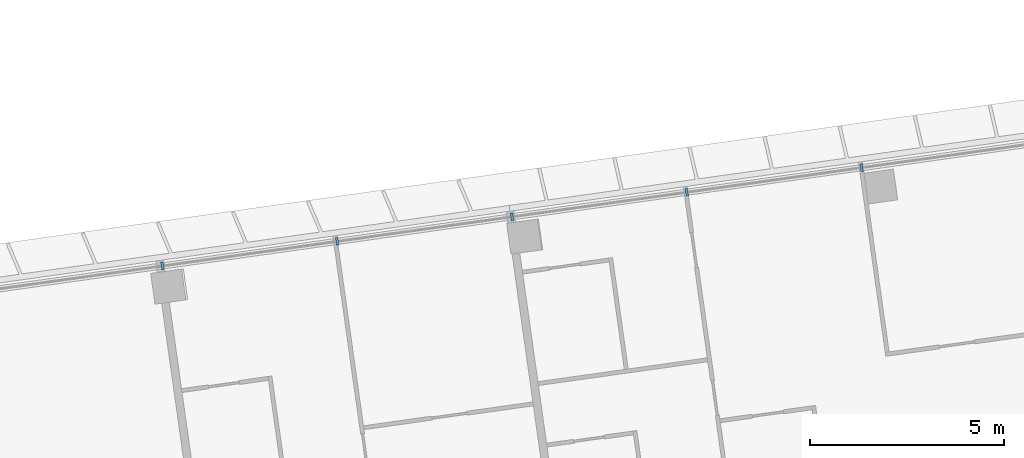
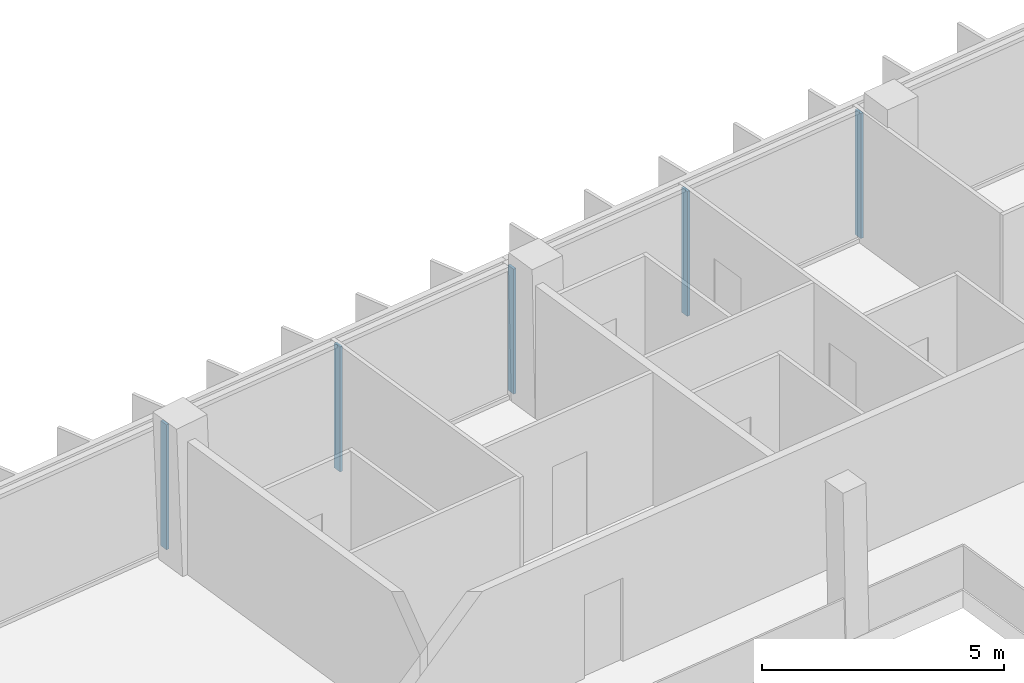
# One storey, part 13 of 32: 5 members, 1 element without a shape of its own.
"""IFC4 building model written with IfcOpenShell, lengths in metres."""

from ifc_helpers import new_model, si_unit, direction, frame, origin, origin_2d, place, context, subcontext, project, spatial, rectangle, extrude, material, material_profile, profile_set, type_object, element, aggregate, save


model = new_model("IFC4")

# Units and contexts
model_context = context("Model", 3, precision=1e-05, world=origin(), true_north=direction((0.0, 1.0)))
body_context = subcontext(model_context, "Body", "Model", "MODEL_VIEW")
ifc_project = project(units=[si_unit("LENGTHUNIT", "METRE"), si_unit("AREAUNIT", "SQUARE_METRE"), si_unit("VOLUMEUNIT", "CUBIC_METRE"), si_unit("PLANEANGLEUNIT", "RADIAN"), si_unit("MASSUNIT", "GRAM", prefix="KILO")], contexts=[model_context])

# Site, building, storey
site_placement = place(None, origin())
site = spatial("IfcSite", under=ifc_project, at=site_placement, CompositionType="ELEMENT")
building_placement = place(site_placement, origin())
building = spatial("IfcBuilding", under=site, at=building_placement, Name="Mirante Cascada Hotel Towers", CompositionType="ELEMENT")
storey_placement = place(building_placement, frame((0.0, 0.0, 176.4)))
storey = spatial("IfcBuildingStorey", under=building, at=storey_placement, Name="L41", CompositionType="ELEMENT", Elevation=176.4)

# Curtain wall, members
ifc_material_1 = material(Name="Aluminium mullion and transom frame with clear laminated glass", Category="aluminium")
curtain_wall_type = type_object("IfcCurtainWallType", Name="Ribbon curtain wall ECW1", PredefinedType="NOTDEFINED", material=ifc_material_1)
curtain_wall_placement = place(storey_placement, origin())
curtain_wall = element("IfcCurtainWall", 1, at=curtain_wall_placement, inside=storey, type_object=curtain_wall_type, Name="Front ribbon wall T2 L41", PredefinedType="NOTDEFINED")
ifc_material_2 = material(Name="Anodised aluminium extrusion", Category="aluminium")
ifc_material_profile = material_profile(ifc_material_2, rectangle(XDim=0.2, YDim=0.065, at=origin_2d()), Name="ECW1 MULLION 65x200")
ifc_profile_set = profile_set([ifc_material_profile], Name="Anodised aluminium extrusion")
member_type = type_object("IfcMemberType", Name="ECW1 mullion 65x200", PredefinedType="MULLION", material=ifc_profile_set)
member_1_placement = place(storey_placement, frame((53.7138, 20.368, 0.1), z_axis=(0.0, 0.0, 1.0), x_axis=(0.1391731, -0.9902681, 0.0)))
member_1 = element("IfcMember", 2, at=member_1_placement, type_object=member_type, Name="ECW1 mullion 8", PredefinedType="MULLION", context=body_context, shape_type="SweptSolid", body=[
    extrude(rectangle(XDim=0.2, YDim=0.065, at=origin_2d()), origin(), (0.0, 0.0, 1.0), 3.15),
])
member_2_placement = place(storey_placement, frame((49.2093, 19.7349, 0.1), z_axis=(0.0, 0.0, 1.0), x_axis=(0.1391731, -0.9902681, 0.0)))
member_2 = element("IfcMember", 3, at=member_2_placement, type_object=member_type, Name="ECW1 mullion 9", PredefinedType="MULLION", context=body_context, shape_type="SweptSolid", body=[
    extrude(rectangle(XDim=0.2, YDim=0.065, at=origin_2d()), origin(), (0.0, 0.0, 1.0), 3.15),
])
member_3_placement = place(storey_placement, frame((44.7047, 19.1019, 0.1), z_axis=(0.0, 0.0, 1.0), x_axis=(0.1391731, -0.9902681, 0.0)))
member_3 = element("IfcMember", 4, at=member_3_placement, type_object=member_type, Name="ECW1 mullion 10", PredefinedType="MULLION", context=body_context, shape_type="SweptSolid", body=[
    extrude(rectangle(XDim=0.2, YDim=0.065, at=origin_2d()), origin(), (0.0, 0.0, 1.0), 3.15),
])
member_4_placement = place(storey_placement, frame((40.2002, 18.4688, 0.1), z_axis=(0.0, 0.0, 1.0), x_axis=(0.1391731, -0.9902681, 0.0)))
member_4 = element("IfcMember", 5, at=member_4_placement, type_object=member_type, Name="ECW1 mullion 11", PredefinedType="MULLION", context=body_context, shape_type="SweptSolid", body=[
    extrude(rectangle(XDim=0.2, YDim=0.065, at=origin_2d()), origin(), (0.0, 0.0, 1.0), 3.15),
])
member_5_placement = place(storey_placement, frame((35.6956, 17.8357, 0.1), z_axis=(0.0, 0.0, 1.0), x_axis=(0.1391731, -0.9902681, 0.0)))
member_5 = element("IfcMember", 6, at=member_5_placement, type_object=member_type, Name="ECW1 mullion 12", PredefinedType="MULLION", context=body_context, shape_type="SweptSolid", body=[
    extrude(rectangle(XDim=0.2, YDim=0.065, at=origin_2d()), origin(), (0.0, 0.0, 1.0), 3.15),
])
aggregate(curtain_wall, [member_1, member_2, member_3, member_4, member_5])

save(model, "model.ifc")
